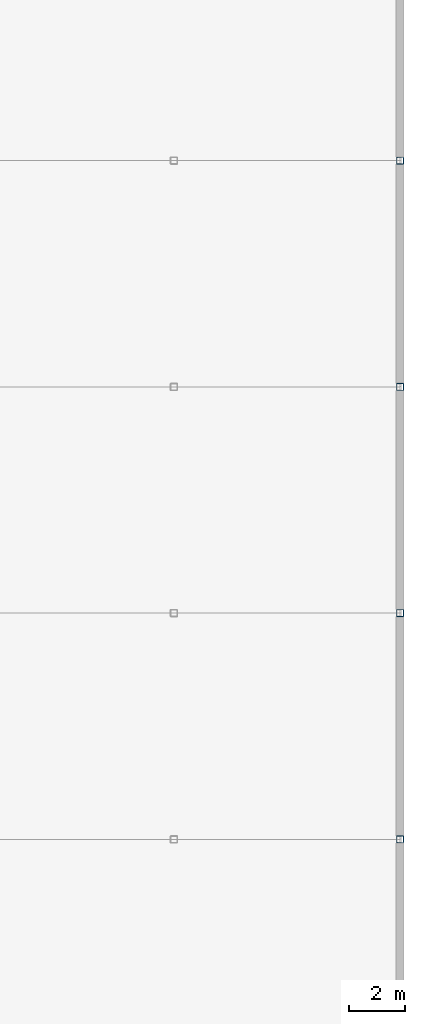
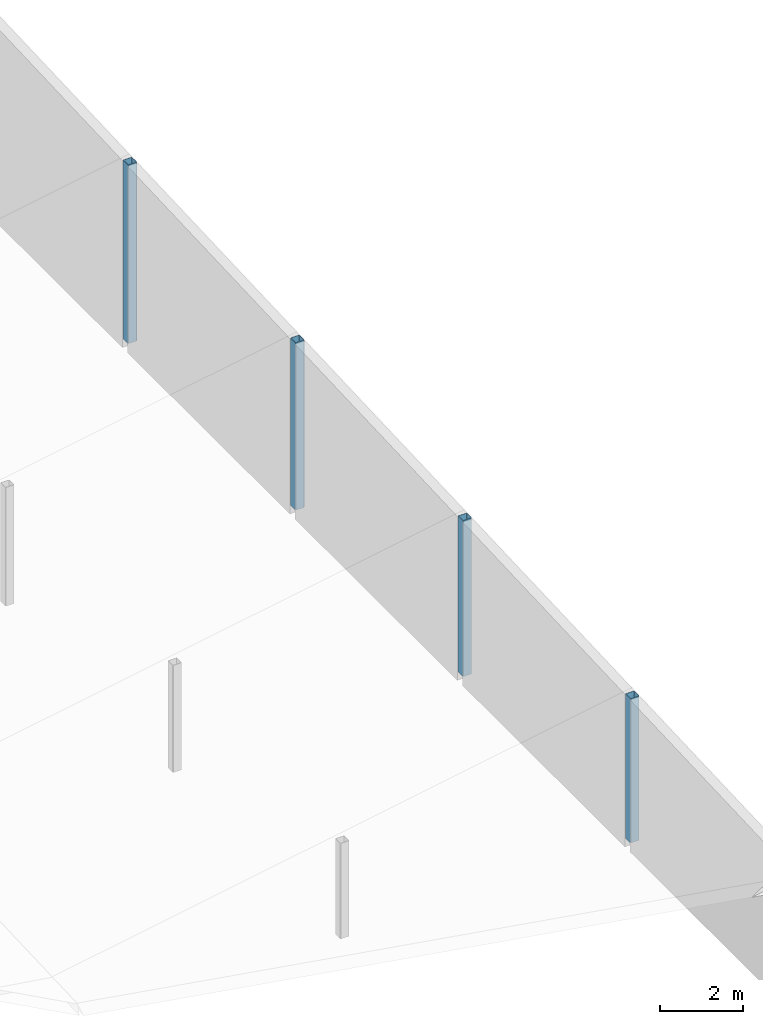
# One storey, part 4 of 8: 4 columns.
"""IFC4 building model written with IfcOpenShell, lengths in metres."""

from ifc_helpers import new_model, si_unit, direction, frame, origin, origin_2d, place, context, subcontext, project, spatial, hollow_rectangle, extrude, material, material_profile, profile_set, type_object, element, save


model = new_model("IFC4")

# Units and contexts
model_context = context("Model", 3, precision=1e-05, world=origin(), true_north=direction((0.0, 1.0)))
body_context = subcontext(model_context, "Body", "Model", "MODEL_VIEW")
ifc_project = project(units=[si_unit("LENGTHUNIT", "METRE"), si_unit("AREAUNIT", "SQUARE_METRE"), si_unit("VOLUMEUNIT", "CUBIC_METRE"), si_unit("PLANEANGLEUNIT", "RADIAN"), si_unit("MASSUNIT", "GRAM", prefix="KILO")], contexts=[model_context])

# Site, building, storey
site_placement = place(None, origin())
site = spatial("IfcSite", under=ifc_project, at=site_placement, CompositionType="ELEMENT")
building_placement = place(site_placement, origin())
building = spatial("IfcBuilding", under=site, at=building_placement, Name="Vaudrelin Polytechnic", CompositionType="ELEMENT")
storey_placement = place(building_placement, frame((0.0, 0.0, 36.2099609375)))
storey = spatial("IfcBuildingStorey", under=building, at=storey_placement, Name="ROOF", CompositionType="ELEMENT", Elevation=36.2099609375)

# Columns
ifc_material = material(Name="Steel CSA G40.21 350W", Category="steel")
ifc_material_profile = material_profile(ifc_material, hollow_rectangle(XDim=0.25390625, YDim=0.25390625, WallThickness=0.0126953125, InnerFilletRadius=0.0126953125, OuterFilletRadius=0.025390625, at=origin_2d()), Name="HSS254x254x12.7")
ifc_profile_set = profile_set([ifc_material_profile], Name="Steel CSA G40.21 350W")
column_type = type_object("IfcColumnType", Name="COL-C-HSS254", PredefinedType="COLUMN", material=ifc_profile_set)
column_1_placement = place(storey_placement, frame((170.10009765625, 64.800048828125, 0.0), z_axis=(0.0, 0.0, 1.0), x_axis=(1.0, 0.0, 0.0)))
element("IfcColumn", 1, at=column_1_placement, inside=storey, type_object=column_type, Name="Laboratory roof edge post 21-8", PredefinedType="COLUMN", context=body_context, shape_type="SweptSolid", body=[
    extrude(hollow_rectangle(XDim=0.25390625, YDim=0.25390625, WallThickness=0.0126953125, InnerFilletRadius=0.0126953125, OuterFilletRadius=0.025390625, at=origin_2d()), origin(), (0.0, 0.0, 1.0), 4.2568359375),
])
column_2_placement = place(storey_placement, frame((170.10009765625, 72.89990234375, 0.0), z_axis=(0.0, 0.0, 1.0), x_axis=(1.0, 0.0, 0.0)))
element("IfcColumn", 2, at=column_2_placement, inside=storey, type_object=column_type, Name="Laboratory roof edge post 21-9", PredefinedType="COLUMN", context=body_context, shape_type="SweptSolid", body=[
    extrude(hollow_rectangle(XDim=0.25390625, YDim=0.25390625, WallThickness=0.0126953125, InnerFilletRadius=0.0126953125, OuterFilletRadius=0.025390625, at=origin_2d()), origin(), (0.0, 0.0, 1.0), 4.59716796875),
])
column_3_placement = place(storey_placement, frame((170.10009765625, 81.0, 0.0), z_axis=(0.0, 0.0, 1.0), x_axis=(1.0, 0.0, 0.0)))
element("IfcColumn", 3, at=column_3_placement, inside=storey, type_object=column_type, Name="Laboratory roof edge post 21-10", PredefinedType="COLUMN", context=body_context, shape_type="SweptSolid", body=[
    extrude(hollow_rectangle(XDim=0.25390625, YDim=0.25390625, WallThickness=0.0126953125, InnerFilletRadius=0.0126953125, OuterFilletRadius=0.025390625, at=origin_2d()), origin(), (0.0, 0.0, 1.0), 4.937255859375),
])
column_4_placement = place(storey_placement, frame((170.10009765625, 89.10009765625, 0.0), z_axis=(0.0, 0.0, 1.0), x_axis=(1.0, 0.0, 0.0)))
element("IfcColumn", 4, at=column_4_placement, inside=storey, type_object=column_type, Name="Laboratory roof edge post 21-11", PredefinedType="COLUMN", context=body_context, shape_type="SweptSolid", body=[
    extrude(hollow_rectangle(XDim=0.25390625, YDim=0.25390625, WallThickness=0.0126953125, InnerFilletRadius=0.0126953125, OuterFilletRadius=0.025390625, at=origin_2d()), origin(), (0.0, 0.0, 1.0), 5.277587890625),
])

save(model, "model.ifc")
